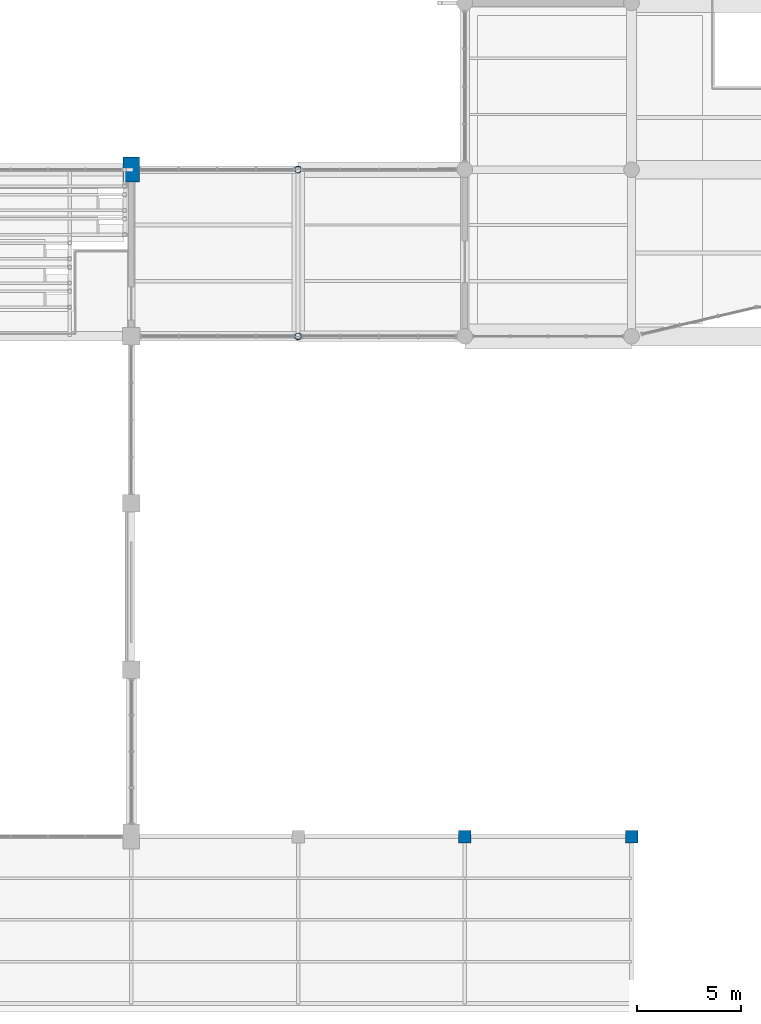
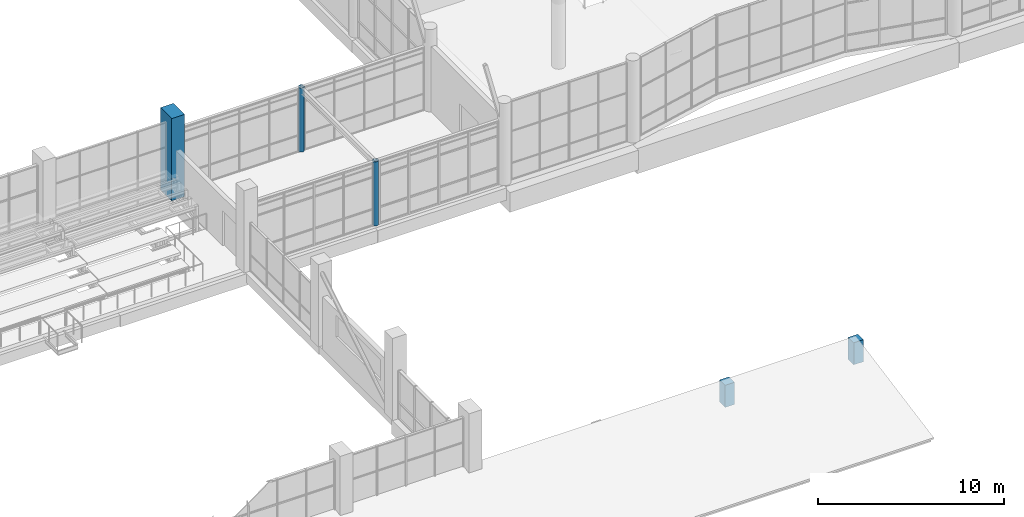
# One storey, part 2 of 122: 5 columns.
"""IFC4 building model written with IfcOpenShell, lengths in metres."""

from ifc_helpers import new_model, si_unit, direction, frame, origin, origin_2d, place, context, subcontext, project, spatial, rectangle, hollow_circle, extrude, material, material_profile, profile_set, type_object, element, save


model = new_model("IFC4")

# Units and contexts
model_context = context("Model", 3, precision=1e-05, world=origin(), true_north=direction((0.0, 1.0)))
body_context = subcontext(model_context, "Body", "Model", "MODEL_VIEW")
ifc_project = project(units=[si_unit("LENGTHUNIT", "METRE"), si_unit("AREAUNIT", "SQUARE_METRE"), si_unit("VOLUMEUNIT", "CUBIC_METRE"), si_unit("PLANEANGLEUNIT", "RADIAN"), si_unit("MASSUNIT", "GRAM", prefix="KILO")], contexts=[model_context])

# Site, building, storey
site_placement = place(None, origin())
site = spatial("IfcSite", under=ifc_project, at=site_placement, CompositionType="ELEMENT")
building_placement = place(site_placement, origin())
building = spatial("IfcBuilding", under=site, at=building_placement, Name="Tenunan Teduh Sports Hall", CompositionType="ELEMENT")
storey_placement = place(building_placement, frame((0.0, 0.0, 5.39990234375)))
storey = spatial("IfcBuildingStorey", under=building, at=storey_placement, Name="L01", CompositionType="ELEMENT", Elevation=5.39990234375)

# Columns
ifc_material_1 = material(Name="Concrete C40/50", Category="concrete")
ifc_material_profile_1 = material_profile(ifc_material_1, rectangle(XDim=0.60009765625, YDim=0.60009765625, at=origin_2d()), Name="RC 600x600")
ifc_profile_set_1 = profile_set([ifc_material_profile_1], Name="Concrete C40/50")
column_type_1 = type_object("IfcColumnType", Name="COL-RC-600", PredefinedType="COLUMN", material=ifc_profile_set_1)
for number, where, z_axis, x_axis, name in (
    (1, (70.0, 14.0, 0.0), (0.0, 0.0, 1.0), (1.0, 0.0, 0.0), "COL-C-09-L01-098"),
    (2, (78.0, 14.0, 0.0), (0.0, 0.0, 1.0), (1.0, 0.0, 0.0), "COL-C-09-L01-110"),
):
    element("IfcColumn", number, at=place(storey_placement, frame(where, z_axis=z_axis, x_axis=x_axis)), inside=storey, type_object=column_type_1, Name=name, PredefinedType="COLUMN", context=body_context, shape_type="SweptSolid", body=[
        extrude(rectangle(XDim=0.60009765625, YDim=0.60009765625, at=origin_2d()), origin(), (0.0, 0.0, 1.0), 1.4501953125),
    ])
ifc_material_2 = material(Name="Concrete C40/50", Category="concrete")
ifc_material_profile_2 = material_profile(ifc_material_2, rectangle(XDim=0.800048828125, YDim=1.199951171875, at=origin_2d()), Name="RC 800x1200")
ifc_profile_set_2 = profile_set([ifc_material_profile_2], Name="Concrete C40/50")
column_type_2 = type_object("IfcColumnType", Name="COL-RC-800x1200", PredefinedType="COLUMN", material=ifc_profile_set_2)
column_placement = place(storey_placement, frame((54.0, 46.0, 0.0), z_axis=(0.0, 0.0, 1.0), x_axis=(1.0, 0.0, 0.0)))
element("IfcColumn", 3, at=column_placement, inside=storey, type_object=column_type_2, Name="COL-C-14-L01-076", PredefinedType="COLUMN", context=body_context, shape_type="SweptSolid", body=[
    extrude(rectangle(XDim=0.800048828125, YDim=1.199951171875, at=origin_2d()), origin(), (0.0, 0.0, 1.0), 5.400146484375),
])
ifc_material_3 = material(Name="Steel S355", Category="steel")
ifc_material_profile_3 = material_profile(ifc_material_3, hollow_circle(Radius=0.161865234375, WallThickness=0.012451171875, at=origin_2d()), Name="CHS 323.9x12.5")
ifc_profile_set_3 = profile_set([ifc_material_profile_3], Name="Steel S355")
column_type_3 = type_object("IfcColumnType", Name="COL-ST-CHS324", PredefinedType="COLUMN", material=ifc_profile_set_3)
for number, where, z_axis, x_axis, name in (
    (4, (62.0, 38.0, 0.0), (0.0, 0.0, 1.0), (1.0, 0.0, 0.0), "COL-SC-06-L01-LNK1"),
    (5, (62.0, 46.0, 0.0), (0.0, 0.0, 1.0), (1.0, 0.0, 0.0), "COL-SC-06-L01-LNK2"),
):
    element("IfcColumn", number, at=place(storey_placement, frame(where, z_axis=z_axis, x_axis=x_axis)), inside=storey, type_object=column_type_3, Name=name, PredefinedType="COLUMN", context=body_context, shape_type="SweptSolid", body=[
        extrude(hollow_circle(Radius=0.161865234375, WallThickness=0.012451171875, at=origin_2d()), origin(), (0.0, 0.0, 1.0), 4.22021484375),
    ])

save(model, "model.ifc")
